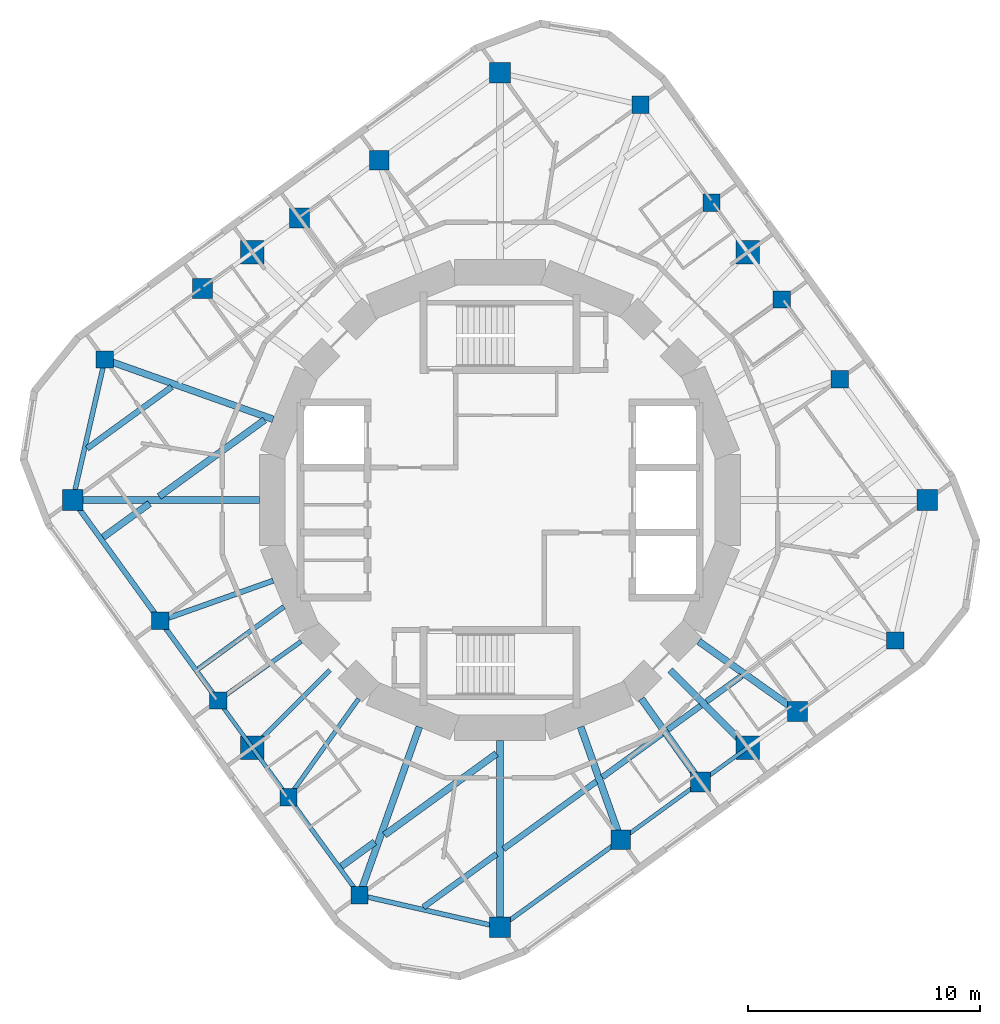
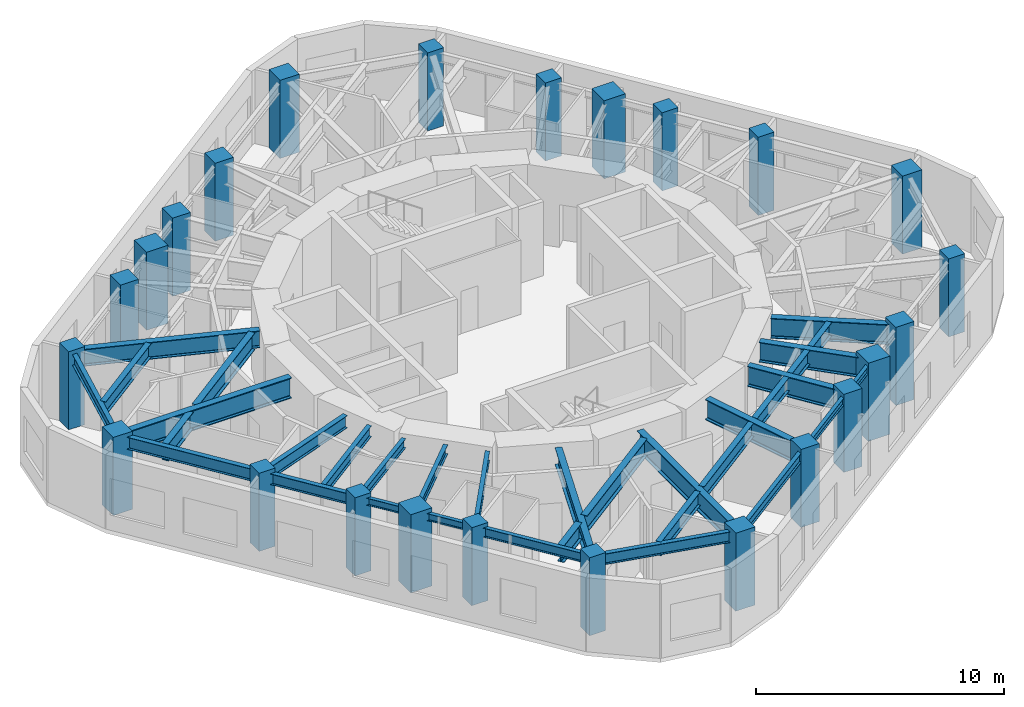
# One storey, part 1 of 9: 33 beams, 24 columns.
"""IFC4 building model written with IfcOpenShell, lengths in metres."""

import ifcopenshell
import ifcopenshell.guid

model = None  # the IFC model being written
_history = None  # IfcOwnerHistory: only IFC2X3 demands one
_inside = {}  # id of a spatial element -> (the spatial element, [elements in it])
_under = {}  # id of a project, library or spatial element -> (it, [spatial elements below it])
_declared = {}  # id of a project -> (the project, [libraries it declares])
_typed = {}  # id of a type object -> (the type object, [elements of that type])
_made_of = {}  # id of a material, layer set ... -> (it, [elements and type objects made of it])


def new_model(schema):
    """Start an empty IFC model of exactly this schema.

    Asked for "IFC4X3", IfcOpenShell would pick the latest addendum, in which some entities
    have other attributes; the version numbers below select the first issue.
    IFC2X3 requires an IfcOwnerHistory on every rooted entity: one is made here for all.
    """
    global model, _history
    if schema == "IFC4X3":
        model = ifcopenshell.file(schema_version=(4, 3, 0, 0))
    else:
        model = ifcopenshell.file(schema=schema)
    _inside.clear()
    _under.clear()
    _declared.clear()
    _typed.clear()
    _made_of.clear()
    _history = None
    if model.schema == "IFC2X3":
        org = make("IfcOrganization", Name="unknown")
        user = make(
            "IfcPersonAndOrganization",
            ThePerson=make("IfcPerson", FamilyName="unknown"),
            TheOrganization=org,
        )
        app = make(
            "IfcApplication",
            ApplicationDeveloper=org,
            Version="unknown",
            ApplicationFullName="unknown",
            ApplicationIdentifier="unknown",
        )
        _history = make(
            "IfcOwnerHistory",
            OwningUser=user,
            OwningApplication=app,
            ChangeAction="ADDED",
            CreationDate=0,
        )
    return model


def make(cls, **values):
    """One entity of the class cls with the attributes given. An attribute that is None is left unset."""
    return model.create_entity(
        cls, **{name: value for name, value in values.items() if value is not None}
    )


def rooted(cls, **values):
    """An entity with a GlobalId (a new one), such as an element, a storey or a relation."""
    return make(cls, GlobalId=ifcopenshell.guid.new(), OwnerHistory=_history, **values)


def si_unit(unit_type, name, prefix=None):
    """IfcSIUnit, for example si_unit("LENGTHUNIT", "METRE", prefix="MILLI")."""
    return make("IfcSIUnit", UnitType=unit_type, Prefix=prefix, Name=name)


def assignment(units):
    """IfcUnitAssignment: the units of a project."""
    return None if units is None else make("IfcUnitAssignment", Units=units)


def point(xyz):
    """IfcCartesianPoint."""
    return None if xyz is None else make("IfcCartesianPoint", Coordinates=xyz)


def direction(xyz):
    """IfcDirection."""
    return None if xyz is None else make("IfcDirection", DirectionRatios=xyz)


def frame(location, z_axis=None, x_axis=None):
    """IfcAxis2Placement3D, a coordinate frame: its origin and axes. An axis left out is left unset."""
    return make(
        "IfcAxis2Placement3D",
        Location=point(location),
        Axis=direction(z_axis),
        RefDirection=direction(x_axis),
    )


def frame_2d(location, x_axis=None):
    """IfcAxis2Placement2D, a coordinate frame in the plane: its origin and x axis."""
    return make(
        "IfcAxis2Placement2D", Location=point(location), RefDirection=direction(x_axis)
    )


def origin():
    """The frame at (0, 0, 0) with its axes left unset."""
    return frame((0.0, 0.0, 0.0))


def origin_2d():
    """The frame at (0, 0) in the plane with its x axis left unset."""
    return frame_2d((0.0, 0.0))


def place(relative_to, where):
    """IfcLocalPlacement: puts the frame where relative to a parent placement (None: the world)."""
    return make(
        "IfcLocalPlacement", PlacementRelTo=relative_to, RelativePlacement=where
    )


def context(
    kind, dimensions, precision=None, world=None, true_north=None, identifier=None
):
    """IfcGeometricRepresentationContext, for example the 3D "Model" context."""
    return make(
        "IfcGeometricRepresentationContext",
        ContextIdentifier=identifier,
        ContextType=kind,
        CoordinateSpaceDimension=dimensions,
        Precision=precision,
        WorldCoordinateSystem=world,
        TrueNorth=true_north,
    )


def subcontext(parent, identifier, kind, view, scale=None):
    """IfcGeometricRepresentationSubContext, for example "Body" below "Model"."""
    return make(
        "IfcGeometricRepresentationSubContext",
        ContextIdentifier=identifier,
        ContextType=kind,
        ParentContext=parent,
        TargetScale=scale,
        TargetView=view,
    )


def project(units=None, contexts=None):
    """IfcProject with its units and contexts."""
    return rooted(
        "IfcProject",
        Name="project",
        RepresentationContexts=contexts,
        UnitsInContext=assignment(units),
    )


def spatial(cls, under=None, at=None, **own):
    """A site, building, storey or space (cls), placed at a placement, below another one or the project."""
    s = rooted(cls, ObjectPlacement=at, **own)
    if under is not None:
        _under.setdefault(under.id(), (under, []))[1].append(s)
    return s


def profile(cls, at=None, kind="AREA", **sizes):
    """A parametric profile (cls). Its sizes go by their IFC names, for example OverallWidth=200.0."""
    return make(cls, ProfileType=kind, Position=at, **sizes)


def rectangle(**sizes):
    """IfcRectangleProfileDef."""
    return profile("IfcRectangleProfileDef", **sizes)


def i_section(**sizes):
    """IfcIShapeProfileDef."""
    return profile("IfcIShapeProfileDef", **sizes)


def extrude(swept, where, along, depth):
    """IfcExtrudedAreaSolid: the profile swept, set in the frame where, extruded along a direction by depth."""
    return make(
        "IfcExtrudedAreaSolid",
        SweptArea=swept,
        Position=where,
        ExtrudedDirection=direction(along),
        Depth=depth,
    )


def shape(context_of_items, identifier, shape_type, items):
    """IfcShapeRepresentation: the items that make up one representation, for example the "Body"."""
    return make(
        "IfcShapeRepresentation",
        ContextOfItems=context_of_items,
        RepresentationIdentifier=identifier,
        RepresentationType=shape_type,
        Items=items,
    )


def material(Name=None, Category=None):
    """IfcMaterial."""
    return make("IfcMaterial", Name=Name, Category=Category)


def material_profile(
    of_material, cross_section, Name=None, Category=None, Priority=None
):
    """IfcMaterialProfile: a cross section and its material."""
    return make(
        "IfcMaterialProfile",
        Name=Name,
        Material=of_material,
        Profile=cross_section,
        Priority=Priority,
        Category=Category,
    )


def profile_set(profiles, Name=None, composite=None):
    """IfcMaterialProfileSet."""
    return make(
        "IfcMaterialProfileSet",
        Name=Name,
        MaterialProfiles=profiles,
        CompositeProfile=composite,
    )


def made_of(thing, what):
    """Note that an element or type object is made of a material, layer set ...; save() writes the relation."""
    if what is not None:
        _made_of.setdefault(what.id(), (what, []))[1].append(thing)
    return thing


def type_object(cls, material=None, **own):
    """A type object (cls), such as IfcWallType, which elements share."""
    return made_of(rooted(cls, **own), material)


def element(
    cls,
    number,
    at=None,
    inside=None,
    cuts=None,
    type_object=None,
    material=None,
    context=None,
    identifier="Body",
    shape_type=None,
    held_by="IfcProductDefinitionShape",
    body=None,
    shapes=None,
    **own,
):
    """One element of the class cls, such as IfcWall. Its Tag is "e" and its number.

    at: its placement. inside: the storey or other place that contains it. cuts: it is an
    opening in that element (IfcRelVoidsElement). A single representation is given by context,
    identifier, shape_type and body (its items); several are given by shapes. held_by: the class
    of the entity that holds the representations. save() writes the other relations.
    """
    e = rooted(cls, Tag="e%d" % number, ObjectPlacement=at, **own)
    if body is not None:
        shapes = [shape(context, identifier, shape_type, body)]
    if shapes is not None:
        e.Representation = make(held_by, Representations=shapes)
    if inside is not None:
        _inside.setdefault(inside.id(), (inside, []))[1].append(e)
    if cuts is not None:
        rooted(
            "IfcRelVoidsElement", RelatingBuildingElement=cuts, RelatedOpeningElement=e
        )
    if type_object is not None:
        _typed.setdefault(type_object.id(), (type_object, []))[1].append(e)
    return made_of(e, material)


def aggregate(whole, parts):
    """IfcRelAggregates: a whole, such as a stair, and the parts it consists of."""
    return rooted("IfcRelAggregates", RelatingObject=whole, RelatedObjects=parts)


def save(model, path):
    """Write the relations noted so far, then the file.

    IfcRelAggregates (storeys below a building ...), IfcRelContainedInSpatialStructure (elements
    in a storey), IfcRelDefinesByType, IfcRelAssociatesMaterial and IfcRelDeclares: one each for
    every whole, place, type object, material and project.
    """
    for whole, parts in _under.values():
        aggregate(whole, parts)
    for where, things in _inside.values():
        rooted(
            "IfcRelContainedInSpatialStructure",
            RelatedElements=things,
            RelatingStructure=where,
        )
    for kind, things in _typed.values():
        rooted("IfcRelDefinesByType", RelatedObjects=things, RelatingType=kind)
    for what, things in _made_of.values():
        rooted("IfcRelAssociatesMaterial", RelatedObjects=things, RelatingMaterial=what)
    for by, libraries in _declared.values():
        rooted("IfcRelDeclares", RelatingContext=by, RelatedDefinitions=libraries)
    model.write(path)


model = new_model("IFC4")

# Units and contexts
model_context = context("Model", 3, precision=1e-05, world=origin(), true_north=direction((0.0, 1.0)))
body_context = subcontext(model_context, "Body", "Model", "MODEL_VIEW")
ifc_project = project(units=[si_unit("LENGTHUNIT", "METRE"), si_unit("AREAUNIT", "SQUARE_METRE"), si_unit("VOLUMEUNIT", "CUBIC_METRE"), si_unit("PLANEANGLEUNIT", "RADIAN"), si_unit("MASSUNIT", "GRAM", prefix="KILO")], contexts=[model_context])

# Site, building, storey
site_placement = place(None, origin())
site = spatial("IfcSite", under=ifc_project, at=site_placement, CompositionType="ELEMENT")
building_placement = place(site_placement, origin())
building = spatial("IfcBuilding", under=site, at=building_placement, Name="Nakasero Lantern House", CompositionType="ELEMENT")
storey_placement = place(building_placement, frame((0.0, 0.0, 294.550048828125)))
storey = spatial("IfcBuildingStorey", under=building, at=storey_placement, Name="L72", CompositionType="ELEMENT", Elevation=294.550048828125)

# Columns
ifc_material_1 = material(Name="Concrete C40/50", Category="concrete")
ifc_material_profile_1 = material_profile(ifc_material_1, rectangle(XDim=1.0, YDim=1.0, at=origin_2d()), Name="RC 1000x1000")
ifc_profile_set_1 = profile_set([ifc_material_profile_1], Name="Concrete C40/50")
column_type_1 = type_object("IfcColumnType", Name="Mega column RC 1000x1000 C40/50", PredefinedType="COLUMN", material=ifc_profile_set_1)
for number, where, z_axis, x_axis, name in (
    (1, (10.667236328125, 10.667236328125, 0.0), (0.0, 0.0, 1.0), (1.0, 0.0, 0.0), "Column B7-C06 L72"),
    (2, (-10.667236328125, 10.667236328125, 0.0), (0.0, 0.0, 1.0), (1.0, 0.0, 0.0), "Column B7-C12 L72"),
    (3, (-10.667236328125, -10.667236328125, 0.0), (0.0, 0.0, 1.0), (1.0, 0.0, 0.0), "Column B7-C18 L72"),
    (4, (10.667236328125, -10.667236328125, 0.0), (0.0, 0.0, 1.0), (1.0, 0.0, 0.0), "Column B7-C24 L72"),
):
    element("IfcColumn", number, at=place(storey_placement, frame(where, z_axis=z_axis, x_axis=x_axis)), inside=storey, type_object=column_type_1, Name=name, PredefinedType="COLUMN", context=body_context, shape_type="SweptSolid", body=[
        extrude(rectangle(XDim=1.0, YDim=1.0, at=origin_2d()), origin(), (0.0, 0.0, 1.0), 3.849853515625),
    ])
ifc_material_2 = material(Name="Concrete C40/50", Category="concrete")
ifc_material_profile_2 = material_profile(ifc_material_2, rectangle(XDim=0.75, YDim=0.75, at=origin_2d()), Name="RC 750x750")
ifc_profile_set_2 = profile_set([ifc_material_profile_2], Name="Concrete C40/50")
column_type_2 = type_object("IfcColumnType", Name="Ring column RC 750x750 C40/50", PredefinedType="COLUMN", material=ifc_profile_set_2)
for number, where, z_axis, x_axis, name in (
    (5, (17.02001953125, -6.051513671875, 0.0), (0.0, 0.0, 1.0), (1.0, 0.0, 0.0), "Column B7-C02 L72"),
    (6, (14.636474609375, 5.2041015625, 0.0), (0.0, 0.0, 1.0), (1.0, 0.0, 0.0), "Column B7-C04 L72"),
    (7, (12.1435546875, 8.63525390625, 0.0), (0.0, 0.0, 1.0), (1.0, 0.0, 0.0), "Column B7-C05 L72"),
    (8, (9.10986328125, 12.810791015625, 0.0), (0.0, 0.0, 1.0), (1.0, 0.0, 0.0), "Column B7-C07 L72"),
    (9, (6.051513671875, 17.02001953125, 0.0), (0.0, 0.0, 1.0), (1.0, 0.0, 0.0), "Column B7-C08 L72"),
    (10, (-17.02001953125, 6.051513671875, 0.0), (0.0, 0.0, 1.0), (1.0, 0.0, 0.0), "Column B7-C14 L72"),
    (11, (-14.636474609375, -5.2041015625, 0.0), (0.0, 0.0, 1.0), (1.0, 0.0, 0.0), "Column B7-C16 L72"),
    (12, (-12.1435546875, -8.63525390625, 0.0), (0.0, 0.0, 1.0), (1.0, 0.0, 0.0), "Column B7-C17 L72"),
    (13, (-9.10986328125, -12.810791015625, 0.0), (0.0, 0.0, 1.0), (1.0, 0.0, 0.0), "Column B7-C19 L72"),
    (14, (-6.051513671875, -17.02001953125, 0.0), (0.0, 0.0, 1.0), (1.0, 0.0, 0.0), "Column B7-C20 L72"),
):
    element("IfcColumn", number, at=place(storey_placement, frame(where, z_axis=z_axis, x_axis=x_axis)), inside=storey, type_object=column_type_2, Name=name, PredefinedType="COLUMN", context=body_context, shape_type="SweptSolid", body=[
        extrude(rectangle(XDim=0.75, YDim=0.75, at=origin_2d()), origin(), (0.0, 0.0, 1.0), 3.849853515625),
    ])
ifc_material_3 = material(Name="Concrete C40/50", Category="concrete")
ifc_material_profile_3 = material_profile(ifc_material_3, rectangle(XDim=0.85009765625, YDim=0.85009765625, at=origin_2d()), Name="RC 850x850")
ifc_profile_set_3 = profile_set([ifc_material_profile_3], Name="Concrete C40/50")
column_type_3 = type_object("IfcColumnType", Name="Ring column RC 850x850 C40/50", PredefinedType="COLUMN", material=ifc_profile_set_3)
for number, where, z_axis, x_axis, name in (
    (15, (12.810791015625, -9.10986328125, 0.0), (0.0, 0.0, 1.0), (1.0, 0.0, 0.0), "Column B7-C01 L72"),
    (16, (-5.2041015625, 14.636474609375, 0.0), (0.0, 0.0, 1.0), (1.0, 0.0, 0.0), "Column B7-C10 L72"),
    (17, (-8.63525390625, 12.1435546875, 0.0), (0.0, 0.0, 1.0), (1.0, 0.0, 0.0), "Column B7-C11 L72"),
    (18, (-12.810791015625, 9.10986328125, 0.0), (0.0, 0.0, 1.0), (1.0, 0.0, 0.0), "Column B7-C13 L72"),
    (19, (5.2041015625, -14.636474609375, 0.0), (0.0, 0.0, 1.0), (1.0, 0.0, 0.0), "Column B7-C22 L72"),
    (20, (8.63525390625, -12.1435546875, 0.0), (0.0, 0.0, 1.0), (1.0, 0.0, 0.0), "Column B7-C23 L72"),
):
    element("IfcColumn", number, at=place(storey_placement, frame(where, z_axis=z_axis, x_axis=x_axis)), inside=storey, type_object=column_type_3, Name=name, PredefinedType="COLUMN", context=body_context, shape_type="SweptSolid", body=[
        extrude(rectangle(XDim=0.85009765625, YDim=0.85009765625, at=origin_2d()), origin(), (0.0, 0.0, 1.0), 3.849853515625),
    ])
ifc_material_4 = material(Name="Concrete C40/50", Category="concrete")
ifc_material_profile_4 = material_profile(ifc_material_4, rectangle(XDim=0.89990234375, YDim=0.89990234375, at=origin_2d()), Name="RC 900x900")
ifc_profile_set_4 = profile_set([ifc_material_profile_4], Name="Concrete C40/50")
column_type_4 = type_object("IfcColumnType", Name="Ring column RC 900x900 C40/50", PredefinedType="COLUMN", material=ifc_profile_set_4)
for number, where, z_axis, x_axis, name in (
    (21, (18.39990234375, 0.0, 0.0), (0.0, 0.0, 1.0), (1.0, 0.0, 0.0), "Column B7-C03 L72"),
    (22, (0.0, 18.39990234375, 0.0), (0.0, 0.0, 1.0), (1.0, 0.0, 0.0), "Column B7-C09 L72"),
    (23, (-18.39990234375, 0.0, 0.0), (0.0, 0.0, 1.0), (1.0, 0.0, 0.0), "Column B7-C15 L72"),
    (24, (0.0, -18.39990234375, 0.0), (0.0, 0.0, 1.0), (1.0, 0.0, 0.0), "Column B7-C21 L72"),
):
    element("IfcColumn", number, at=place(storey_placement, frame(where, z_axis=z_axis, x_axis=x_axis)), inside=storey, type_object=column_type_4, Name=name, PredefinedType="COLUMN", context=body_context, shape_type="SweptSolid", body=[
        extrude(rectangle(XDim=0.89990234375, YDim=0.89990234375, at=origin_2d()), origin(), (0.0, 0.0, 1.0), 3.849853515625),
    ])

# Beams
ifc_material_5 = material(Name="Steel S355", Category="steel")
ifc_material_profile_5 = material_profile(ifc_material_5, i_section(OverallWidth=0.2099609375, OverallDepth=0.53662109375, WebThickness=0.0107421875, FlangeThickness=0.017333984375, FilletRadius=0.0126953125, at=origin_2d()), Name="UB 533x210x101")
ifc_profile_set_5 = profile_set([ifc_material_profile_5], Name="Steel S355")
beam_type_1 = type_object("IfcBeamType", Name="Infill beam UB 533x210x101", PredefinedType="JOIST", material=ifc_profile_set_5)
beam_1_placement = place(storey_placement, frame((-12.998046875, -7.280517578125, 3.381591796875), z_axis=(0.809018255439, 0.587783516583, 0.0), x_axis=(-0.587783516583, 0.809018255439, 0.0)))
element("IfcBeam", 25, at=beam_1_placement, inside=storey, type_object=beam_type_1, Name="Infill beam L73 07.1", PredefinedType="JOIST", context=body_context, shape_type="SweptSolid", body=[
    extrude(i_section(OverallWidth=0.2099609375, OverallDepth=0.53662109375, WebThickness=0.0107421875, FlangeThickness=0.017333984375, FilletRadius=0.0126953125, at=origin_2d()), origin(), (0.0, 0.0, 1.0), 4.563232421875),
])
ifc_material_6 = material(Name="Steel S355", Category="steel")
ifc_material_profile_6 = material_profile(ifc_material_6, i_section(OverallWidth=0.253662109375, OverallDepth=0.68359375, WebThickness=0.012451171875, FlangeThickness=0.01904296875, FilletRadius=0.01513671875, at=origin_2d()), Name="UB 686x254x140")
ifc_profile_set_6 = profile_set([ifc_material_profile_6], Name="Steel S355")
beam_type_2 = type_object("IfcBeamType", Name="Infill beam UB 686x254x140", PredefinedType="JOIST", material=ifc_profile_set_6)
beam_2_placement = place(storey_placement, frame((-3.30029296875, -17.539794921875, 3.30810546875), z_axis=(0.808996267662, 0.587813779107, 0.0), x_axis=(-0.587813779107, 0.808996267662, 0.0)))
element("IfcBeam", 26, at=beam_2_placement, inside=storey, type_object=beam_type_2, Name="Infill beam L73 03.1", PredefinedType="JOIST", context=body_context, shape_type="SweptSolid", body=[
    extrude(i_section(OverallWidth=0.253662109375, OverallDepth=0.68359375, WebThickness=0.012451171875, FlangeThickness=0.01904296875, FilletRadius=0.01513671875, at=origin_2d()), origin(), (0.0, 0.0, 1.0), 3.894287109375),
])
beam_3_placement = place(storey_placement, frame((0.14990234375, -15.032958984375, 3.30810546875), z_axis=(0.809000691709, 0.587807690333, 0.0), x_axis=(-0.587807690333, 0.809000691709, 0.0)))
element("IfcBeam", 27, at=beam_3_placement, inside=storey, type_object=beam_type_2, Name="Infill beam L73 03.2", PredefinedType="JOIST", context=body_context, shape_type="SweptSolid", body=[
    extrude(i_section(OverallWidth=0.253662109375, OverallDepth=0.68359375, WebThickness=0.012451171875, FlangeThickness=0.01904296875, FilletRadius=0.01513671875, at=origin_2d()), origin(), (0.0, 0.0, 1.0), 4.94580078125),
])
beam_4_placement = place(storey_placement, frame((4.40576171875, -11.940673828125, 3.30810546875), z_axis=(0.809038119983, 0.587756174288, 0.0), x_axis=(-0.587756174288, 0.809038119983, 0.0)))
element("IfcBeam", 28, at=beam_4_placement, inside=storey, type_object=beam_type_2, Name="Infill beam L73 03.3", PredefinedType="JOIST", context=body_context, shape_type="SweptSolid", body=[
    extrude(i_section(OverallWidth=0.253662109375, OverallDepth=0.68359375, WebThickness=0.012451171875, FlangeThickness=0.01904296875, FilletRadius=0.01513671875, at=origin_2d()), origin(), (0.0, 0.0, 1.0), 3.1796875),
])
beam_5_placement = place(storey_placement, frame((7.220947265625, -9.8955078125, 3.30810546875), z_axis=(0.80904738199, 0.587743425054, 0.0), x_axis=(-0.587743425054, 0.80904738199, 0.0)))
element("IfcBeam", 29, at=beam_5_placement, inside=storey, type_object=beam_type_2, Name="Infill beam L73 03.4", PredefinedType="JOIST", context=body_context, shape_type="SweptSolid", body=[
    extrude(i_section(OverallWidth=0.253662109375, OverallDepth=0.68359375, WebThickness=0.012451171875, FlangeThickness=0.01904296875, FilletRadius=0.01513671875, at=origin_2d()), origin(), (0.0, 0.0, 1.0), 1.762939453125),
])
beam_6_placement = place(storey_placement, frame((8.892822265625, -8.6806640625, 3.30810546875), z_axis=(0.809080675426, 0.587697592859, 0.0), x_axis=(-0.587697592859, 0.809080675426, 0.0)))
element("IfcBeam", 30, at=beam_6_placement, inside=storey, type_object=beam_type_2, Name="Infill beam L73 03.5", PredefinedType="JOIST", context=body_context, shape_type="SweptSolid", body=[
    extrude(i_section(OverallWidth=0.253662109375, OverallDepth=0.68359375, WebThickness=0.012451171875, FlangeThickness=0.01904296875, FilletRadius=0.01513671875, at=origin_2d()), origin(), (0.0, 0.0, 1.0), 1.8681640625),
])
beam_7_placement = place(storey_placement, frame((-17.786865234375, 2.21875, 3.30810546875), z_axis=(0.808998054221, 0.587811320295, 0.0), x_axis=(-0.587811320295, 0.808998054221, 0.0)))
element("IfcBeam", 31, at=beam_7_placement, inside=storey, type_object=beam_type_2, Name="Infill beam L73 10.1", PredefinedType="JOIST", context=body_context, shape_type="SweptSolid", body=[
    extrude(i_section(OverallWidth=0.253662109375, OverallDepth=0.68359375, WebThickness=0.012451171875, FlangeThickness=0.01904296875, FilletRadius=0.01513671875, at=origin_2d()), origin(), (0.0, 0.0, 1.0), 4.51220703125),
])
ifc_material_7 = material(Name="Steel S355", Category="steel")
ifc_material_profile_7 = material_profile(ifc_material_7, i_section(OverallWidth=0.29248046875, OverallDepth=0.8408203125, WebThickness=0.0146484375, FlangeThickness=0.02685546875, FilletRadius=0.017822265625, at=origin_2d()), Name="UB 838x292x194")
ifc_profile_set_7 = profile_set([ifc_material_profile_7], Name="Steel S355")
beam_type_3 = type_object("IfcBeamType", Name="Infill beam UB 838x292x194", PredefinedType="JOIST", material=ifc_profile_set_7)
beam_8_placement = place(storey_placement, frame((-6.83447265625, -15.781005859375, 3.2294921875), z_axis=(0.809008801443, 0.587796528731, 0.0), x_axis=(-0.587796528731, 0.809008801443, 0.0)))
element("IfcBeam", 32, at=beam_8_placement, inside=storey, type_object=beam_type_3, Name="Infill beam L73 04.1", PredefinedType="JOIST", context=body_context, shape_type="SweptSolid", body=[
    extrude(i_section(OverallWidth=0.29248046875, OverallDepth=0.8408203125, WebThickness=0.0146484375, FlangeThickness=0.02685546875, FilletRadius=0.017822265625, at=origin_2d()), origin(), (0.0, 0.0, 1.0), 1.7802734375),
])
beam_9_placement = place(storey_placement, frame((-4.975830078125, -14.4306640625, 3.2294921875), z_axis=(0.809028012961, 0.587770086211, 0.0), x_axis=(-0.587770086211, 0.809028012961, 0.0)))
element("IfcBeam", 33, at=beam_9_placement, inside=storey, type_object=beam_type_3, Name="Infill beam L73 04.2", PredefinedType="JOIST", context=body_context, shape_type="SweptSolid", body=[
    extrude(i_section(OverallWidth=0.29248046875, OverallDepth=0.8408203125, WebThickness=0.0146484375, FlangeThickness=0.02685546875, FilletRadius=0.017822265625, at=origin_2d()), origin(), (0.0, 0.0, 1.0), 5.965087890625),
])
beam_10_placement = place(storey_placement, frame((-17.09765625, -1.606689453125, 3.2294921875), z_axis=(0.809008944548, 0.587796331769, 0.0), x_axis=(-0.587796331769, 0.809008944548, 0.0)))
element("IfcBeam", 34, at=beam_10_placement, inside=storey, type_object=beam_type_3, Name="Infill beam L73 09.1", PredefinedType="JOIST", context=body_context, shape_type="SweptSolid", body=[
    extrude(i_section(OverallWidth=0.29248046875, OverallDepth=0.8408203125, WebThickness=0.0146484375, FlangeThickness=0.02685546875, FilletRadius=0.017822265625, at=origin_2d()), origin(), (0.0, 0.0, 1.0), 2.4755859375),
])
beam_11_placement = place(storey_placement, frame((-14.677978515625, 0.151611328125, 3.2294921875), z_axis=(0.809023858621, 0.587775804352, 0.0), x_axis=(-0.587775804352, 0.809023858621, 0.0)))
element("IfcBeam", 35, at=beam_11_placement, inside=storey, type_object=beam_type_3, Name="Infill beam L73 09.2", PredefinedType="JOIST", context=body_context, shape_type="SweptSolid", body=[
    extrude(i_section(OverallWidth=0.29248046875, OverallDepth=0.8408203125, WebThickness=0.0146484375, FlangeThickness=0.02685546875, FilletRadius=0.017822265625, at=origin_2d()), origin(), (0.0, 0.0, 1.0), 5.611083984375),
])
ifc_material_8 = material(Name="Steel S355", Category="steel")
ifc_material_profile_8 = material_profile(ifc_material_8, i_section(OverallWidth=0.300048828125, OverallDepth=0.97998046875, WebThickness=0.0166015625, FlangeThickness=0.02587890625, FilletRadius=0.030029296875, at=origin_2d()), Name="UB 1016x305x249")
ifc_profile_set_8 = profile_set([ifc_material_profile_8], Name="Steel S355")
beam_type_4 = type_object("IfcBeamType", Name="Primary beam UB 1016x305x249, span to 6 m", PredefinedType="BEAM", material=ifc_profile_set_8)
beam_12_placement = place(storey_placement, frame((10.667236328125, -10.667236328125, 3.159912109375), z_axis=(-0.707106781187, 0.707106781187, 0.0), x_axis=(-0.707106781187, -0.707106781187, 0.0)))
element("IfcBeam", 36, at=beam_12_placement, inside=storey, type_object=beam_type_4, Name="Primary beam L73 B7-C24", PredefinedType="BEAM", context=body_context, shape_type="SweptSolid", body=[
    extrude(i_section(OverallWidth=0.300048828125, OverallDepth=0.97998046875, WebThickness=0.0166015625, FlangeThickness=0.02587890625, FilletRadius=0.030029296875, at=origin_2d()), origin(), (0.0, 0.0, 1.0), 4.727783203125),
])
ifc_material_9 = material(Name="Steel S355", Category="steel")
ifc_material_profile_9 = material_profile(ifc_material_9, i_section(OverallWidth=0.300048828125, OverallDepth=0.989990234375, WebThickness=0.0166015625, FlangeThickness=0.031005859375, FilletRadius=0.030029296875, at=origin_2d()), Name="UB 1016x305x272")
ifc_profile_set_9 = profile_set([ifc_material_profile_9], Name="Steel S355")
beam_type_5 = type_object("IfcBeamType", Name="Primary beam UB 1016x305x272, span to 6 m", PredefinedType="BEAM", material=ifc_profile_set_9)
beam_13_placement = place(storey_placement, frame((12.810791015625, -9.10986328125, 3.15478515625), z_axis=(-0.814971537688, 0.579500985986, 0.0), x_axis=(-0.579500985986, -0.814971537688, 0.0)))
element("IfcBeam", 37, at=beam_13_placement, inside=storey, type_object=beam_type_5, Name="Primary beam L73 B7-C01", PredefinedType="BEAM", context=body_context, shape_type="SweptSolid", body=[
    extrude(i_section(OverallWidth=0.300048828125, OverallDepth=0.989990234375, WebThickness=0.0166015625, FlangeThickness=0.031005859375, FilletRadius=0.030029296875, at=origin_2d()), origin(), (0.0, 0.0, 1.0), 5.215087890625),
])
ifc_material_10 = material(Name="Steel S355", Category="steel")
ifc_material_profile_10 = material_profile(ifc_material_10, i_section(OverallWidth=0.300048828125, OverallDepth=1.0, WebThickness=0.01904296875, FlangeThickness=0.035888671875, FilletRadius=0.030029296875, at=origin_2d()), Name="UB 1016x305x314")
ifc_profile_set_10 = profile_set([ifc_material_profile_10], Name="Steel S355")
beam_type_6 = type_object("IfcBeamType", Name="Primary beam UB 1016x305x314, span 6 to 9 m", PredefinedType="BEAM", material=ifc_profile_set_10)
beam_14_placement = place(storey_placement, frame((0.0, -18.39990234375, 3.14990234375), z_axis=(0.0, 1.0, 0.0), x_axis=(-1.0, 0.0, 0.0)))
element("IfcBeam", 38, at=beam_14_placement, inside=storey, type_object=beam_type_6, Name="Primary beam L73 B7-C21", PredefinedType="BEAM", context=body_context, shape_type="SweptSolid", body=[
    extrude(i_section(OverallWidth=0.300048828125, OverallDepth=1.0, WebThickness=0.01904296875, FlangeThickness=0.035888671875, FilletRadius=0.030029296875, at=origin_2d()), origin(), (0.0, 0.0, 1.0), 8.0419921875),
])
ifc_material_11 = material(Name="Steel S355", Category="steel")
ifc_material_profile_11 = material_profile(ifc_material_11, i_section(OverallWidth=0.300048828125, OverallDepth=1.0, WebThickness=0.01904296875, FlangeThickness=0.035888671875, FilletRadius=0.030029296875, at=origin_2d()), Name="UB 1016x305x314")
ifc_profile_set_11 = profile_set([ifc_material_profile_11], Name="Steel S355")
beam_type_7 = type_object("IfcBeamType", Name="Primary beam UB 1016x305x314, span to 6 m", PredefinedType="BEAM", material=ifc_profile_set_11)
beam_15_placement = place(storey_placement, frame((8.63525390625, -12.1435546875, 3.14990234375), z_axis=(-0.579477068537, 0.814988544116, 0.0), x_axis=(-0.814988544116, -0.579477068537, 0.0)))
element("IfcBeam", 39, at=beam_15_placement, inside=storey, type_object=beam_type_7, Name="Primary beam L73 B7-C23", PredefinedType="BEAM", context=body_context, shape_type="SweptSolid", body=[
    extrude(i_section(OverallWidth=0.300048828125, OverallDepth=1.0, WebThickness=0.01904296875, FlangeThickness=0.035888671875, FilletRadius=0.030029296875, at=origin_2d()), origin(), (0.0, 0.0, 1.0), 4.396484375),
])
ifc_material_12 = material(Name="Steel S355", Category="steel")
ifc_material_profile_12 = material_profile(ifc_material_12, i_section(OverallWidth=0.302001953125, OverallDepth=1.008056640625, WebThickness=0.02099609375, FlangeThickness=0.0400390625, FilletRadius=0.030029296875, at=origin_2d()), Name="UB 1016x305x349")
ifc_profile_set_12 = profile_set([ifc_material_profile_12], Name="Steel S355")
beam_type_8 = type_object("IfcBeamType", Name="Primary beam UB 1016x305x349, span to 6 m", PredefinedType="BEAM", material=ifc_profile_set_12)
beam_16_placement = place(storey_placement, frame((5.2041015625, -14.636474609375, 3.14599609375), z_axis=(-0.3349910093, 0.942221324153, 0.0), x_axis=(-0.942221324153, -0.3349910093, 0.0)))
element("IfcBeam", 40, at=beam_16_placement, inside=storey, type_object=beam_type_8, Name="Primary beam L73 B7-C22", PredefinedType="BEAM", context=body_context, shape_type="SweptSolid", body=[
    extrude(i_section(OverallWidth=0.302001953125, OverallDepth=1.008056640625, WebThickness=0.02099609375, FlangeThickness=0.0400390625, FilletRadius=0.030029296875, at=origin_2d()), origin(), (0.0, 0.0, 1.0), 5.162841796875),
])
ifc_material_13 = material(Name="Steel S355", Category="steel")
ifc_material_profile_13 = material_profile(ifc_material_13, i_section(OverallWidth=0.302978515625, OverallDepth=1.015869140625, WebThickness=0.0244140625, FlangeThickness=0.0439453125, FilletRadius=0.030029296875, at=origin_2d()), Name="UB 1016x305x393")
ifc_profile_set_13 = profile_set([ifc_material_profile_13], Name="Steel S355")
beam_type_9 = type_object("IfcBeamType", Name="Primary beam UB 1016x305x393, span 6 to 9 m", PredefinedType="BEAM", material=ifc_profile_set_13)
beam_17_placement = place(storey_placement, frame((-18.39990234375, 0.0, 3.14208984375), z_axis=(1.0, 0.0, 0.0), x_axis=(0.0, 1.0, 0.0)))
element("IfcBeam", 41, at=beam_17_placement, inside=storey, type_object=beam_type_9, Name="Primary beam L73 B7-C15", PredefinedType="BEAM", context=body_context, shape_type="SweptSolid", body=[
    extrude(i_section(OverallWidth=0.302978515625, OverallDepth=1.015869140625, WebThickness=0.0244140625, FlangeThickness=0.0439453125, FilletRadius=0.030029296875, at=origin_2d()), origin(), (0.0, 0.0, 1.0), 8.0419921875),
])
ifc_material_14 = material(Name="Steel S355", Category="steel")
ifc_material_profile_14 = material_profile(ifc_material_14, i_section(OverallWidth=0.19140625, OverallDepth=0.4599609375, WebThickness=0.010009765625, FlangeThickness=0.01611328125, FilletRadius=0.01025390625, at=origin_2d()), Name="UB 457x191x82")
ifc_profile_set_14 = profile_set([ifc_material_profile_14], Name="Steel S355")
beam_type_10 = type_object("IfcBeamType", Name="Primary beam UB 457x191x82, span to 6 m", PredefinedType="BEAM", material=ifc_profile_set_14)
beam_18_placement = place(storey_placement, frame((-12.1435546875, -8.63525390625, 3.419921875), z_axis=(0.814988544116, 0.579477068537, 0.0), x_axis=(-0.579477068537, 0.814988544116, 0.0)))
element("IfcBeam", 42, at=beam_18_placement, inside=storey, type_object=beam_type_10, Name="Primary beam L73 B7-C17", PredefinedType="BEAM", context=body_context, shape_type="SweptSolid", body=[
    extrude(i_section(OverallWidth=0.19140625, OverallDepth=0.4599609375, WebThickness=0.010009765625, FlangeThickness=0.01611328125, FilletRadius=0.01025390625, at=origin_2d()), origin(), (0.0, 0.0, 1.0), 4.396484375),
])
beam_19_placement = place(storey_placement, frame((-10.667236328125, -10.667236328125, 3.419921875), z_axis=(0.707106781187, 0.707106781187, 0.0), x_axis=(-0.707106781187, 0.707106781187, 0.0)))
element("IfcBeam", 43, at=beam_19_placement, inside=storey, type_object=beam_type_10, Name="Primary beam L73 B7-C18", PredefinedType="BEAM", context=body_context, shape_type="SweptSolid", body=[
    extrude(i_section(OverallWidth=0.19140625, OverallDepth=0.4599609375, WebThickness=0.010009765625, FlangeThickness=0.01611328125, FilletRadius=0.01025390625, at=origin_2d()), origin(), (0.0, 0.0, 1.0), 4.727783203125),
])
beam_20_placement = place(storey_placement, frame((-9.10986328125, -12.810791015625, 3.419921875), z_axis=(0.579500985986, 0.814971537688, 0.0), x_axis=(-0.814971537688, 0.579500985986, 0.0)))
element("IfcBeam", 44, at=beam_20_placement, inside=storey, type_object=beam_type_10, Name="Primary beam L73 B7-C19", PredefinedType="BEAM", context=body_context, shape_type="SweptSolid", body=[
    extrude(i_section(OverallWidth=0.19140625, OverallDepth=0.4599609375, WebThickness=0.010009765625, FlangeThickness=0.01611328125, FilletRadius=0.01025390625, at=origin_2d()), origin(), (0.0, 0.0, 1.0), 5.215087890625),
])
ifc_material_15 = material(Name="Steel S355", Category="steel")
ifc_material_profile_15 = material_profile(ifc_material_15, i_section(OverallWidth=0.22900390625, OverallDepth=0.6123046875, WebThickness=0.011962890625, FlangeThickness=0.01953125, FilletRadius=0.0126953125, at=origin_2d()), Name="UB 610x229x125")
ifc_profile_set_15 = profile_set([ifc_material_profile_15], Name="Steel S355")
beam_type_11 = type_object("IfcBeamType", Name="Primary beam UB 610x229x125, span to 6 m", PredefinedType="BEAM", material=ifc_profile_set_15)
beam_21_placement = place(storey_placement, frame((-14.636474609375, -5.2041015625, 3.34375), z_axis=(0.942221324153, 0.3349910093, 0.0), x_axis=(-0.3349910093, 0.942221324153, 0.0)))
element("IfcBeam", 45, at=beam_21_placement, inside=storey, type_object=beam_type_11, Name="Primary beam L73 B7-C16", PredefinedType="BEAM", context=body_context, shape_type="SweptSolid", body=[
    extrude(i_section(OverallWidth=0.22900390625, OverallDepth=0.6123046875, WebThickness=0.011962890625, FlangeThickness=0.01953125, FilletRadius=0.0126953125, at=origin_2d()), origin(), (0.0, 0.0, 1.0), 5.162841796875),
])
ifc_material_16 = material(Name="Steel S355", Category="steel")
ifc_material_profile_16 = material_profile(ifc_material_16, i_section(OverallWidth=0.29248046875, OverallDepth=0.8408203125, WebThickness=0.0146484375, FlangeThickness=0.02685546875, FilletRadius=0.017822265625, at=origin_2d()), Name="UB 838x292x194")
ifc_profile_set_16 = profile_set([ifc_material_profile_16], Name="Steel S355")
beam_type_12 = type_object("IfcBeamType", Name="Primary beam UB 838x292x194, span 6 to 9 m", PredefinedType="BEAM", material=ifc_profile_set_16)
for number, where, z_axis, x_axis, name in (
    (46, (-17.02001953125, 6.051513671875, 3.2294921875), (0.942222036561, -0.334989005521, 0.0), (0.334989005521, 0.942222036561, 0.0), "Primary beam L73 B7-C14"),
    (47, (-6.051513671875, -17.02001953125, 3.2294921875), (0.334989005521, 0.942222036561, 0.0), (-0.942222036561, 0.334989005521, 0.0), "Primary beam L73 B7-C20"),
):
    element("IfcBeam", number, at=place(storey_placement, frame(where, z_axis=z_axis, x_axis=x_axis)), inside=storey, type_object=beam_type_12, Name=name, PredefinedType="BEAM", context=body_context, shape_type="SweptSolid", body=[
        extrude(i_section(OverallWidth=0.29248046875, OverallDepth=0.8408203125, WebThickness=0.0146484375, FlangeThickness=0.02685546875, FilletRadius=0.017822265625, at=origin_2d()), origin(), (0.0, 0.0, 1.0), 7.6923828125),
    ])
ifc_material_17 = material(Name="Steel S355", Category="steel")
ifc_material_profile_17 = material_profile(ifc_material_17, i_section(OverallWidth=0.17138671875, OverallDepth=0.35498046875, WebThickness=0.00732421875, FlangeThickness=0.011474609375, FilletRadius=0.01025390625, at=origin_2d()), Name="UB 356x171x51")
ifc_profile_set_17 = profile_set([ifc_material_profile_17], Name="Steel S355")
beam_type_13 = type_object("IfcBeamType", Name="Ring beam UB 356x171x51", PredefinedType="BEAM", material=ifc_profile_set_17)
beam_22_placement = place(storey_placement, frame((-12.1435546875, -8.63525390625, 3.472412109375), z_axis=(0.58778439593, -0.809017616558, 0.0), x_axis=(0.809017616558, 0.58778439593, 0.0)))
element("IfcBeam", 48, at=beam_22_placement, inside=storey, type_object=beam_type_13, Name="Ring beam L73 B7-C17", PredefinedType="BEAM", context=body_context, shape_type="SweptSolid", body=[
    extrude(i_section(OverallWidth=0.17138671875, OverallDepth=0.35498046875, WebThickness=0.00732421875, FlangeThickness=0.011474609375, FilletRadius=0.01025390625, at=origin_2d()), origin(), (0.0, 0.0, 1.0), 2.51171875),
])
beam_23_placement = place(storey_placement, frame((-10.667236328125, -10.667236328125, 3.472412109375), z_axis=(0.587782635143, -0.809018895839, 0.0), x_axis=(0.809018895839, 0.587782635143, 0.0)))
element("IfcBeam", 49, at=beam_23_placement, inside=storey, type_object=beam_type_13, Name="Ring beam L73 B7-C18", PredefinedType="BEAM", context=body_context, shape_type="SweptSolid", body=[
    extrude(i_section(OverallWidth=0.17138671875, OverallDepth=0.35498046875, WebThickness=0.00732421875, FlangeThickness=0.011474609375, FilletRadius=0.01025390625, at=origin_2d()), origin(), (0.0, 0.0, 1.0), 2.649658203125),
])
beam_24_placement = place(storey_placement, frame((5.2041015625, -14.636474609375, 3.472412109375), z_axis=(0.809012304944, 0.587791706687, 0.0), x_axis=(-0.587791706687, 0.809012304944, 0.0)))
element("IfcBeam", 50, at=beam_24_placement, inside=storey, type_object=beam_type_13, Name="Ring beam L73 B7-C22", PredefinedType="BEAM", context=body_context, shape_type="SweptSolid", body=[
    extrude(i_section(OverallWidth=0.17138671875, OverallDepth=0.35498046875, WebThickness=0.00732421875, FlangeThickness=0.011474609375, FilletRadius=0.01025390625, at=origin_2d()), origin(), (0.0, 0.0, 1.0), 4.2412109375),
])
beam_25_placement = place(storey_placement, frame((8.63525390625, -12.1435546875, 3.472412109375), z_axis=(0.809017616558, 0.58778439593, 0.0), x_axis=(-0.58778439593, 0.809017616558, 0.0)))
element("IfcBeam", 51, at=beam_25_placement, inside=storey, type_object=beam_type_13, Name="Ring beam L73 B7-C23", PredefinedType="BEAM", context=body_context, shape_type="SweptSolid", body=[
    extrude(i_section(OverallWidth=0.17138671875, OverallDepth=0.35498046875, WebThickness=0.00732421875, FlangeThickness=0.011474609375, FilletRadius=0.01025390625, at=origin_2d()), origin(), (0.0, 0.0, 1.0), 2.51171875),
])
ifc_material_18 = material(Name="Steel S355", Category="steel")
ifc_material_profile_18 = material_profile(ifc_material_18, i_section(OverallWidth=0.18994140625, OverallDepth=0.453369140625, WebThickness=0.008544921875, FlangeThickness=0.0126953125, FilletRadius=0.01025390625, at=origin_2d()), Name="UB 457x191x67")
ifc_profile_set_18 = profile_set([ifc_material_profile_18], Name="Steel S355")
beam_type_14 = type_object("IfcBeamType", Name="Ring beam UB 457x191x67", PredefinedType="BEAM", material=ifc_profile_set_18)
beam_26_placement = place(storey_placement, frame((-9.10986328125, -12.810791015625, 3.42333984375), z_axis=(0.587806144414, -0.809001814948, 0.0), x_axis=(0.809001814948, 0.587806144414, 0.0)))
element("IfcBeam", 52, at=beam_26_placement, inside=storey, type_object=beam_type_14, Name="Ring beam L73 B7-C19", PredefinedType="BEAM", context=body_context, shape_type="SweptSolid", body=[
    extrude(i_section(OverallWidth=0.18994140625, OverallDepth=0.453369140625, WebThickness=0.008544921875, FlangeThickness=0.0126953125, FilletRadius=0.01025390625, at=origin_2d()), origin(), (0.0, 0.0, 1.0), 5.202880859375),
])
ifc_material_19 = material(Name="Steel S355", Category="steel")
ifc_material_profile_19 = material_profile(ifc_material_19, i_section(OverallWidth=0.19140625, OverallDepth=0.4599609375, WebThickness=0.010009765625, FlangeThickness=0.01611328125, FilletRadius=0.01025390625, at=origin_2d()), Name="UB 457x191x82")
ifc_profile_set_19 = profile_set([ifc_material_profile_19], Name="Steel S355")
beam_type_15 = type_object("IfcBeamType", Name="Ring beam UB 457x191x82", PredefinedType="BEAM", material=ifc_profile_set_19)
beam_27_placement = place(storey_placement, frame((0.0, -18.39990234375, 3.419921875), z_axis=(0.810316200404, 0.58599287996, 0.0), x_axis=(-0.58599287996, 0.810316200404, 0.0)))
element("IfcBeam", 53, at=beam_27_placement, inside=storey, type_object=beam_type_15, Name="Ring beam L73 B7-C21", PredefinedType="BEAM", context=body_context, shape_type="SweptSolid", body=[
    extrude(i_section(OverallWidth=0.19140625, OverallDepth=0.4599609375, WebThickness=0.010009765625, FlangeThickness=0.01611328125, FilletRadius=0.01025390625, at=origin_2d()), origin(), (0.0, 0.0, 1.0), 6.42236328125),
])
ifc_material_20 = material(Name="Steel S355", Category="steel")
ifc_material_profile_20 = material_profile(ifc_material_20, i_section(OverallWidth=0.2099609375, OverallDepth=0.53662109375, WebThickness=0.0107421875, FlangeThickness=0.017333984375, FilletRadius=0.0126953125, at=origin_2d()), Name="UB 533x210x101")
ifc_profile_set_20 = profile_set([ifc_material_profile_20], Name="Steel S355")
beam_type_16 = type_object("IfcBeamType", Name="Ring beam UB 533x210x101", PredefinedType="BEAM", material=ifc_profile_set_20)
beam_28_placement = place(storey_placement, frame((-14.636474609375, -5.2041015625, 3.381591796875), z_axis=(0.587791706687, -0.809012304944, 0.0), x_axis=(0.809012304944, 0.587791706687, 0.0)))
element("IfcBeam", 54, at=beam_28_placement, inside=storey, type_object=beam_type_16, Name="Ring beam L73 B7-C16", PredefinedType="BEAM", context=body_context, shape_type="SweptSolid", body=[
    extrude(i_section(OverallWidth=0.2099609375, OverallDepth=0.53662109375, WebThickness=0.0107421875, FlangeThickness=0.017333984375, FilletRadius=0.0126953125, at=origin_2d()), origin(), (0.0, 0.0, 1.0), 4.2412109375),
])
beam_29_placement = place(storey_placement, frame((-6.051513671875, -17.02001953125, 3.381591796875), z_axis=(0.974974575944, -0.222316387753, 0.0), x_axis=(0.222316387753, 0.974974575944, 0.0)))
element("IfcBeam", 55, at=beam_29_placement, inside=storey, type_object=beam_type_16, Name="Ring beam L73 B7-C20", PredefinedType="BEAM", context=body_context, shape_type="SweptSolid", body=[
    extrude(i_section(OverallWidth=0.2099609375, OverallDepth=0.53662109375, WebThickness=0.0107421875, FlangeThickness=0.017333984375, FilletRadius=0.0126953125, at=origin_2d()), origin(), (0.0, 0.0, 1.0), 6.206787109375),
])
ifc_material_21 = material(Name="Steel S355", Category="steel")
ifc_material_profile_21 = material_profile(ifc_material_21, i_section(OverallWidth=0.208740234375, OverallDepth=0.5283203125, WebThickness=0.009521484375, FlangeThickness=0.01318359375, FilletRadius=0.0126953125, at=origin_2d()), Name="UB 533x210x82")
ifc_profile_set_21 = profile_set([ifc_material_profile_21], Name="Steel S355")
beam_type_17 = type_object("IfcBeamType", Name="Ring beam UB 533x210x82", PredefinedType="BEAM", material=ifc_profile_set_21)
beam_30_placement = place(storey_placement, frame((-17.02001953125, 6.051513671875, 3.3857421875), z_axis=(-0.222316387753, -0.974974575944, 0.0), x_axis=(0.974974575944, -0.222316387753, 0.0)))
element("IfcBeam", 56, at=beam_30_placement, inside=storey, type_object=beam_type_17, Name="Ring beam L73 B7-C14", PredefinedType="BEAM", context=body_context, shape_type="SweptSolid", body=[
    extrude(i_section(OverallWidth=0.208740234375, OverallDepth=0.5283203125, WebThickness=0.009521484375, FlangeThickness=0.01318359375, FilletRadius=0.0126953125, at=origin_2d()), origin(), (0.0, 0.0, 1.0), 6.206787109375),
])
ifc_material_22 = material(Name="Steel S355", Category="steel")
ifc_material_profile_22 = material_profile(ifc_material_22, i_section(OverallWidth=0.2275390625, OverallDepth=0.6025390625, WebThickness=0.010498046875, FlangeThickness=0.014892578125, FilletRadius=0.0126953125, at=origin_2d()), Name="UB 610x229x101")
ifc_profile_set_22 = profile_set([ifc_material_profile_22], Name="Steel S355")
beam_type_18 = type_object("IfcBeamType", Name="Ring beam UB 610x229x101", PredefinedType="BEAM", material=ifc_profile_set_22)
beam_31_placement = place(storey_placement, frame((-18.39990234375, 0.0, 3.3486328125), z_axis=(0.58599287996, -0.810316200404, 0.0), x_axis=(0.810316200404, 0.58599287996, 0.0)))
element("IfcBeam", 57, at=beam_31_placement, inside=storey, type_object=beam_type_18, Name="Ring beam L73 B7-C15", PredefinedType="BEAM", context=body_context, shape_type="SweptSolid", body=[
    extrude(i_section(OverallWidth=0.2275390625, OverallDepth=0.6025390625, WebThickness=0.010498046875, FlangeThickness=0.014892578125, FilletRadius=0.0126953125, at=origin_2d()), origin(), (0.0, 0.0, 1.0), 6.42236328125),
])

save(model, "model.ifc")
